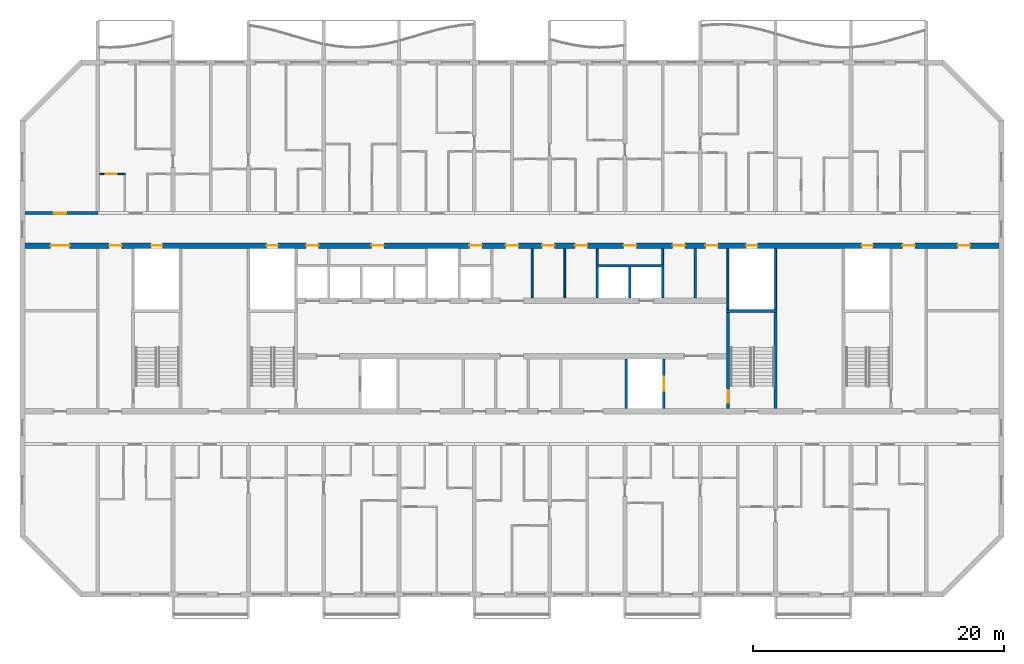
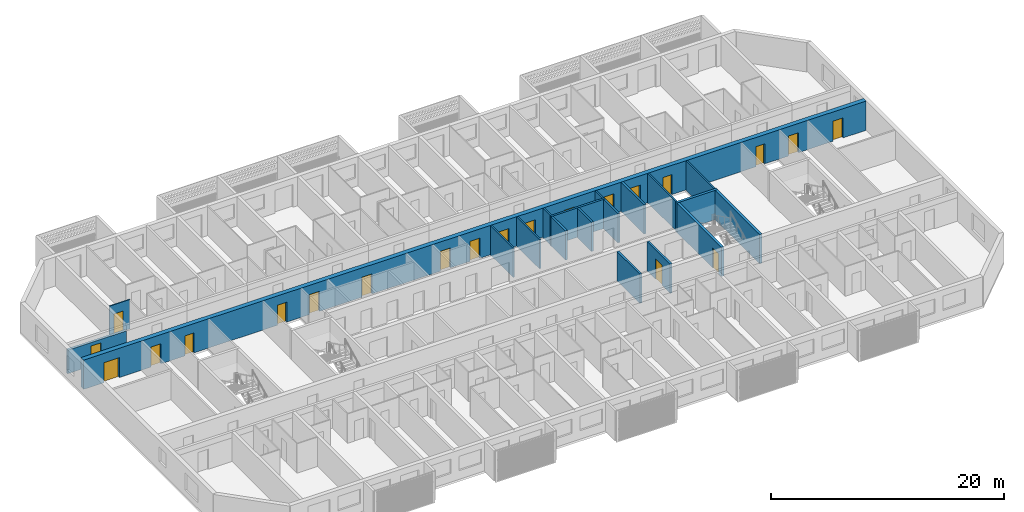
# One storey, part 8 of 33: 21 doors, 19 walls, 21 openings.
"""IFC4 building model written with IfcOpenShell, lengths in metres."""

from ifc_helpers import new_model, si_unit, direction, frame, frame_2d, origin, place, context, subcontext, project, spatial, rectangle, extrude, material, layer, layer_set, type_object, element, fill, save


model = new_model("IFC4")

# Units and contexts
model_context = context("Model", 3, precision=1e-05, world=origin(), true_north=direction((0.0, 1.0)))
body_context = subcontext(model_context, "Body", "Model", "MODEL_VIEW")
ifc_project = project(units=[si_unit("LENGTHUNIT", "METRE"), si_unit("AREAUNIT", "SQUARE_METRE"), si_unit("VOLUMEUNIT", "CUBIC_METRE"), si_unit("PLANEANGLEUNIT", "RADIAN"), si_unit("MASSUNIT", "GRAM", prefix="KILO")], contexts=[model_context])

# Site, building, storey
site_placement = place(None, origin())
site = spatial("IfcSite", under=ifc_project, at=site_placement, CompositionType="ELEMENT")
building_placement = place(site_placement, origin())
building = spatial("IfcBuilding", under=site, at=building_placement, Name="Poui Terraces", CompositionType="ELEMENT")
storey_placement = place(building_placement, frame((0.0, 0.0, 135.60009765625)))
storey = spatial("IfcBuildingStorey", under=building, at=storey_placement, Name="L37", CompositionType="ELEMENT", Elevation=135.60009765625)

# Wall
ifc_material_1 = material(Name="Fire-rated plasterboard wall")
ifc_layer_1 = layer(ifc_material_1, 0.14990234375)
ifc_layer_set_1 = layer_set([ifc_layer_1], Name="Fire-rated plasterboard wall")
wall_type_1 = type_object("IfcWallType", Name="CORRIDOR WALL 150", PredefinedType="PARTITIONING", material=ifc_layer_set_1)
wall_1_placement = place(storey_placement, frame((52.60009765625, 23.635009765625, 0.0), z_axis=(0.0, 0.0, 1.0), x_axis=(0.0, 1.0, 0.0)))
element("IfcWall", 1, at=wall_1_placement, inside=storey, type_object=wall_type_1, Name="CORRIDOR WALL 150", PredefinedType="PARTITIONING", context=body_context, shape_type="SweptSolid", body=[
    extrude(rectangle(XDim=3.929931640625, YDim=0.14990234375, at=frame_2d((1.96484375, 0.0))), origin(), (0.0, 0.0, 1.0), 3.06982421875),
])

# Wall, opening, door
ifc_material_2 = material(Name="Concrete 65 MPa", Category="concrete")
ifc_layer_2 = layer(ifc_material_2, 0.25)
ifc_layer_set_2 = layer_set([ifc_layer_2], Name="Concrete 65 MPa")
wall_type_2 = type_object("IfcWallType", Name="CORRIDOR WALL 250 65MPa", PredefinedType="SHEAR", material=ifc_layer_set_2)
wall_2_placement = place(storey_placement, frame((12.199951171875, 30.39990234375, 0.0), z_axis=(0.0, 0.0, 1.0), x_axis=(1.0, 0.0, 0.0)))
wall_2 = element("IfcWall", 2, at=wall_2_placement, inside=storey, type_object=wall_type_2, Name="CORRIDOR WALL LINE E BAY 1", PredefinedType="SHEAR", context=body_context, shape_type="SweptSolid", body=[
    extrude(rectangle(XDim=5.800048828125, YDim=0.25, at=frame_2d((2.89990234375, 0.0))), origin(), (0.0, 0.0, 1.0), 2.469970703125),
])
opening_1_placement = place(wall_2_placement, frame((2.300048828125, 0.0, 0.0)))
opening_1 = element("IfcOpeningElement", 3, at=opening_1_placement, cuts=wall_2, Name="Opening D100", PredefinedType="OPENING", context=body_context, shape_type="SweptSolid", body=[
    extrude(rectangle(XDim=1.0, YDim=2.10009765625, at=frame_2d((0.5, 1.050048828125))), frame((0.0, 0.135009765625, 0.0), z_axis=(0.0, -1.0, 0.0), x_axis=(1.0, 0.0, 0.0)), (0.0, 0.0, 1.0), 0.27001953125),
])
ifc_material_3 = material(Name="Solid core timber door", Category="wood")
door_type_1 = type_object("IfcDoorType", Name="ACCESSIBLE INTERNAL DOOR 1000 X 2100", OperationType="NOTDEFINED", PredefinedType="DOOR", material=ifc_material_3)
door_1_placement = place(opening_1_placement, origin())
door_1 = element("IfcDoor", 4, at=door_1_placement, inside=storey, type_object=door_type_1, Name="ACCESSIBLE INTERNAL DOOR 031", OperationType="SINGLE_SWING_LEFT", OverallHeight=2.10009765625, OverallWidth=1.0, PredefinedType="DOOR", context=body_context, shape_type="SweptSolid", body=[
    extrude(rectangle(XDim=1.0, YDim=2.10009765625, at=frame_2d((0.5, 1.050048828125))), frame((0.0, 0.02490234375, 0.0), z_axis=(0.0, -1.0, 0.0), x_axis=(1.0, 0.0, 0.0)), (0.0, 0.0, 1.0), 0.050048828125),
])
fill(opening_1, door_1)

ifc_material_4 = material(Name="Plasterboard partition")
ifc_layer_3 = layer(ifc_material_4, 0.10009765625)
ifc_layer_set_3 = layer_set([ifc_layer_3], Name="Plasterboard partition")
wall_type_3 = type_object("IfcWallType", Name="FLAT PARTITION 100", PredefinedType="PARTITIONING", material=ifc_layer_set_3)
wall_3_placement = place(storey_placement, frame((18.159912109375, 33.5, 0.0), z_axis=(0.0, 0.0, 1.0), x_axis=(1.0, 0.0, 0.0)))
wall_3 = element("IfcWall", 5, at=wall_3_placement, inside=storey, type_object=wall_type_3, Name="FLAT PARTITION 100", PredefinedType="PARTITIONING", context=body_context, shape_type="SweptSolid", body=[
    extrude(rectangle(XDim=2.0400390625, YDim=0.10009765625, at=frame_2d((1.02001953125, 0.0))), origin(), (0.0, 0.0, 1.0), 3.06982421875),
])
opening_2_placement = place(wall_3_placement, frame((0.465087890625, 0.0, 0.0)))
opening_2 = element("IfcOpeningElement", 6, at=opening_2_placement, cuts=wall_3, Name="Opening D90", PredefinedType="OPENING", context=body_context, shape_type="SweptSolid", body=[
    extrude(rectangle(XDim=0.89990234375, YDim=2.10009765625, at=frame_2d((0.449951171875, 1.050048828125))), frame((0.0, 0.06005859375, 0.0), z_axis=(0.0, -1.0, 0.0), x_axis=(1.0, 0.0, 0.0)), (0.0, 0.0, 1.0), 0.1201171875),
])
door_type_2 = type_object("IfcDoorType", Name="INTERNAL DOOR 900 X 2100", OperationType="NOTDEFINED", PredefinedType="DOOR", material=ifc_material_3)
door_2_placement = place(opening_2_placement, frame((0.89990234375, 0.0, 0.0), z_axis=(0.0, 0.0, 1.0), x_axis=(-1.0, 0.0, 0.0)))
door_2 = element("IfcDoor", 7, at=door_2_placement, inside=storey, type_object=door_type_2, Name="INTERNAL DOOR 033", OperationType="SINGLE_SWING_LEFT", OverallHeight=2.10009765625, OverallWidth=0.89990234375, PredefinedType="DOOR", context=body_context, shape_type="SweptSolid", body=[
    extrude(rectangle(XDim=0.89990234375, YDim=2.10009765625, at=frame_2d((0.449951171875, 1.050048828125))), frame((0.0, 0.02490234375, 0.0), z_axis=(0.0, -1.0, 0.0), x_axis=(1.0, 0.0, 0.0)), (0.0, 0.0, 1.0), 0.050048828125),
])
fill(opening_2, door_2)

# Walls
ifc_layer_4 = layer(ifc_material_4, 0.14990234375)
ifc_layer_set_4 = layer_set([ifc_layer_4], Name="Plasterboard partition")
wall_type_4 = type_object("IfcWallType", Name="PARTITION WALL 150", PredefinedType="PARTITIONING", material=ifc_layer_set_4)
wall_4_placement = place(storey_placement, frame((55.199951171875, 23.635009765625, 0.0), z_axis=(0.0, 0.0, 1.0), x_axis=(0.0, 1.0, 0.0)))
element("IfcWall", 8, at=wall_4_placement, inside=storey, type_object=wall_type_4, Name="PARTITION WALL 150", PredefinedType="PARTITIONING", context=body_context, shape_type="SweptSolid", body=[
    extrude(rectangle(XDim=3.929931640625, YDim=0.14990234375, at=frame_2d((1.96484375, 0.0))), origin(), (0.0, 0.0, 1.0), 3.06982421875),
])
for number, where, z_axis, x_axis, name in (
    (9, (57.800048828125, 26.300048828125, 0.0), (0.0, 0.0, 1.0), (0.0, 1.0, 0.0), "PARTITION WALL 150"),
    (10, (63.0, 26.300048828125, 0.0), (0.0, 0.0, 1.0), (0.0, 1.0, 0.0), "PARTITION WALL 150"),
):
    element("IfcWall", number, at=place(storey_placement, frame(where, z_axis=z_axis, x_axis=x_axis)), inside=storey, type_object=wall_type_4, Name=name, PredefinedType="PARTITIONING", context=body_context, shape_type="SweptSolid", body=[
        extrude(rectangle(XDim=1.264892578125, YDim=0.14990234375, at=frame_2d((0.63232421875, 0.0))), origin(), (0.0, 0.0, 1.0), 3.06982421875),
    ])
ifc_material_5 = material(Name="Fire-rated masonry wall", Category="masonry")
ifc_layer_5 = layer(ifc_material_5, 0.199951171875)
ifc_layer_set_5 = layer_set([ifc_layer_5], Name="Fire-rated masonry wall")
wall_type_5 = type_object("IfcWallType", Name="PLANT ROOM WALL 200", PredefinedType="PARTITIONING", material=ifc_layer_set_5)
wall_5_placement = place(storey_placement, frame((65.60009765625, 23.635009765625, 0.0), z_axis=(0.0, 0.0, 1.0), x_axis=(0.0, 1.0, 0.0)))
element("IfcWall", 11, at=wall_5_placement, inside=storey, type_object=wall_type_5, Name="PLANT ROOM WALL 200", PredefinedType="PARTITIONING", context=body_context, shape_type="SweptSolid", body=[
    extrude(rectangle(XDim=3.929931640625, YDim=0.199951171875, at=frame_2d((1.96484375, 0.0))), origin(), (0.0, 0.0, 1.0), 3.06982421875),
])
ifc_material_6 = material(Name="Fire-rated plasterboard riser wall")
ifc_layer_6 = layer(ifc_material_6, 0.14990234375)
ifc_layer_set_6 = layer_set([ifc_layer_6], Name="Fire-rated plasterboard riser wall")
wall_type_6 = type_object("IfcWallType", Name="RISER WALL 150", PredefinedType="PARTITIONING", material=ifc_layer_set_6)
for number, where, z_axis, x_axis, name in (
    (12, (68.199951171875, 22.735107421875, 0.0), (0.0, 0.0, 1.0), (0.0, 1.0, 0.0), "RISER WALL 150"),
    (13, (72.0, 22.735107421875, 0.0), (0.0, 0.0, 1.0), (0.0, 1.0, 0.0), "RISER WALL 150"),
):
    element("IfcWall", number, at=place(storey_placement, frame(where, z_axis=z_axis, x_axis=x_axis)), inside=storey, type_object=wall_type_6, Name=name, PredefinedType="PARTITIONING", context=body_context, shape_type="SweptSolid", body=[
        extrude(rectangle(XDim=4.829833984375, YDim=0.14990234375, at=frame_2d((2.4150390625, 0.0))), origin(), (0.0, 0.0, 1.0), 3.06982421875),
    ])
ifc_material_7 = material(Name="Fire-rated masonry shaft wall", Category="masonry")
ifc_layer_7 = layer(ifc_material_7, 0.199951171875)
ifc_layer_set_7 = layer_set([ifc_layer_7], Name="Fire-rated masonry shaft wall")
wall_type_7 = type_object("IfcWallType", Name="SHAFT WALL 200", PredefinedType="PARTITIONING", material=ifc_layer_set_7)
wall_6_placement = place(storey_placement, frame((57.699951171875, 26.199951171875, 0.0), z_axis=(0.0, 0.0, 1.0), x_axis=(1.0, 0.0, 0.0)))
element("IfcWall", 14, at=wall_6_placement, inside=storey, type_object=wall_type_7, Name="SHAFT WALL 200", PredefinedType="PARTITIONING", context=body_context, shape_type="SweptSolid", body=[
    extrude(rectangle(XDim=5.400146484375, YDim=0.199951171875, at=frame_2d((2.7001953125, 0.0))), origin(), (0.0, 0.0, 1.0), 3.06982421875),
])
wall_7_placement = place(storey_placement, frame((57.800048828125, 23.635009765625, 0.0), z_axis=(0.0, 0.0, 1.0), x_axis=(0.0, 1.0, 0.0)))
element("IfcWall", 15, at=wall_7_placement, inside=storey, type_object=wall_type_7, Name="SHAFT WALL 200", PredefinedType="PARTITIONING", context=body_context, shape_type="SweptSolid", body=[
    extrude(rectangle(XDim=2.465087890625, YDim=0.199951171875, at=frame_2d((1.232421875, 0.0))), origin(), (0.0, 0.0, 1.0), 3.06982421875),
])
wall_8_placement = place(storey_placement, frame((60.10009765625, 14.8349609375, 0.0), z_axis=(0.0, 0.0, 1.0), x_axis=(0.0, 1.0, 0.0)))
element("IfcWall", 16, at=wall_8_placement, inside=storey, type_object=wall_type_7, Name="SHAFT WALL 200", PredefinedType="PARTITIONING", context=body_context, shape_type="SweptSolid", body=[
    extrude(rectangle(XDim=3.929931640625, YDim=0.199951171875, at=frame_2d((1.96484375, 0.0))), origin(), (0.0, 0.0, 1.0), 3.06982421875),
])
for number, where, z_axis, x_axis, name in (
    (17, (60.39990234375, 23.635009765625, 0.0), (0.0, 0.0, 1.0), (0.0, 1.0, 0.0), "SHAFT WALL 200"),
    (18, (63.0, 23.635009765625, 0.0), (0.0, 0.0, 1.0), (0.0, 1.0, 0.0), "SHAFT WALL 200"),
):
    element("IfcWall", number, at=place(storey_placement, frame(where, z_axis=z_axis, x_axis=x_axis)), inside=storey, type_object=wall_type_7, Name=name, PredefinedType="PARTITIONING", context=body_context, shape_type="SweptSolid", body=[
        extrude(rectangle(XDim=2.465087890625, YDim=0.199951171875, at=frame_2d((1.232421875, 0.0))), origin(), (0.0, 0.0, 1.0), 3.06982421875),
    ])

# Wall, opening, door
wall_9_placement = place(storey_placement, frame((63.10009765625, 14.8349609375, 0.0), z_axis=(0.0, 0.0, 1.0), x_axis=(0.0, 1.0, 0.0)))
wall_9 = element("IfcWall", 19, at=wall_9_placement, inside=storey, type_object=wall_type_7, Name="SHAFT WALL 200", PredefinedType="PARTITIONING", context=body_context, shape_type="SweptSolid", body=[
    extrude(rectangle(XDim=3.929931640625, YDim=0.199951171875, at=frame_2d((1.96484375, 0.0))), origin(), (0.0, 0.0, 1.0), 3.06982421875),
])
opening_3_placement = place(wall_9_placement, frame((1.4150390625, 0.0, 0.0)))
opening_3 = element("IfcOpeningElement", 20, at=opening_3_placement, cuts=wall_9, Name="Opening LD", PredefinedType="OPENING", context=body_context, shape_type="SweptSolid", body=[
    extrude(rectangle(XDim=1.10009765625, YDim=2.10009765625, at=frame_2d((0.550048828125, 1.050048828125))), frame((0.0, 0.10986328125, 0.0), z_axis=(0.0, -1.0, 0.0), x_axis=(1.0, 0.0, 0.0)), (0.0, 0.0, 1.0), 0.219970703125),
])
ifc_material_8 = material(Name="Stainless steel sliding door", Category="steel")
door_type_3 = type_object("IfcDoorType", Name="LIFT LANDING DOOR 1100 X 2100", OperationType="DOUBLE_DOOR_SLIDING", PredefinedType="DOOR", material=ifc_material_8)
door_3_placement = place(opening_3_placement, origin())
door_3 = element("IfcDoor", 21, at=door_3_placement, inside=storey, type_object=door_type_3, Name="LANDING DOOR", OperationType="DOUBLE_DOOR_SLIDING", OverallHeight=2.10009765625, OverallWidth=1.10009765625, PredefinedType="DOOR", context=body_context, shape_type="SweptSolid", body=[
    extrude(rectangle(XDim=1.10009765625, YDim=2.10009765625, at=frame_2d((0.550048828125, 1.050048828125))), frame((0.0, 0.02490234375, 0.0), z_axis=(0.0, -1.0, 0.0), x_axis=(1.0, 0.0, 0.0)), (0.0, 0.0, 1.0), 0.050048828125),
])
fill(opening_3, door_3)

# Wall, openings, doors
ifc_layer_8 = layer(ifc_material_2, 0.449951171875)
ifc_layer_set_8 = layer_set([ifc_layer_8], Name="Concrete 65 MPa")
wall_type_8 = type_object("IfcWallType", Name="SPINE WALL 450 65 MPA", PredefinedType="SOLIDWALL", material=ifc_layer_set_8)
wall_10_placement = place(storey_placement, frame((12.199951171875, 27.800048828125, 0.0), z_axis=(0.0, 0.0, 1.0), x_axis=(1.0, 0.0, 0.0)))
wall_10 = element("IfcWall", 22, at=wall_10_placement, inside=storey, type_object=wall_type_8, Name="SPINE WALL", PredefinedType="SOLIDWALL", context=body_context, shape_type="SweptSolid", body=[
    extrude(rectangle(XDim=77.60009765625, YDim=0.449951171875, at=frame_2d((38.800048828125, 0.0))), origin(), (0.0, 0.0, 1.0), 3.06982421875),
])
opening_4_placement = place(wall_10_placement, frame((2.050048828125, 0.0, 0.0)))
opening_4 = element("IfcOpeningElement", 23, at=opening_4_placement, cuts=wall_10, Name="Opening FDP", PredefinedType="OPENING", context=body_context, shape_type="SweptSolid", body=[
    extrude(rectangle(XDim=1.5, YDim=2.10009765625, at=frame_2d((0.75, 1.050048828125))), frame((0.0, 0.23486328125, 0.0), z_axis=(0.0, -1.0, 0.0), x_axis=(1.0, 0.0, 0.0)), (0.0, 0.0, 1.0), 0.469970703125),
])
opening_5_placement = place(wall_10_placement, frame((6.699951171875, 0.0, 0.0)))
opening_5 = element("IfcOpeningElement", 24, at=opening_5_placement, cuts=wall_10, Name="Opening FDL", PredefinedType="OPENING", context=body_context, shape_type="SweptSolid", body=[
    extrude(rectangle(XDim=1.0, YDim=2.10009765625, at=frame_2d((0.5, 1.050048828125))), frame((0.0, 0.23486328125, 0.0), z_axis=(0.0, -1.0, 0.0), x_axis=(1.0, 0.0, 0.0)), (0.0, 0.0, 1.0), 0.469970703125),
])
opening_6_placement = place(wall_10_placement, frame((10.050048828125, 0.0, 0.0)))
opening_6 = element("IfcOpeningElement", 25, at=opening_6_placement, cuts=wall_10, Name="Opening FDR", PredefinedType="OPENING", context=body_context, shape_type="SweptSolid", body=[
    extrude(rectangle(XDim=0.89990234375, YDim=2.10009765625, at=frame_2d((0.449951171875, 1.050048828125))), frame((0.0, 0.23486328125, 0.0), z_axis=(0.0, -1.0, 0.0), x_axis=(1.0, 0.0, 0.0)), (0.0, 0.0, 1.0), 0.469970703125),
])
opening_7_placement = place(wall_10_placement, frame((19.25, 0.0, 0.0)))
opening_7 = element("IfcOpeningElement", 26, at=opening_7_placement, cuts=wall_10, Name="Opening FDR", PredefinedType="OPENING", context=body_context, shape_type="SweptSolid", body=[
    extrude(rectangle(XDim=0.89990234375, YDim=2.10009765625, at=frame_2d((0.449951171875, 1.050048828125))), frame((0.0, 0.23486328125, 0.0), z_axis=(0.0, -1.0, 0.0), x_axis=(1.0, 0.0, 0.0)), (0.0, 0.0, 1.0), 0.469970703125),
])
opening_8_placement = place(wall_10_placement, frame((22.39990234375, 0.0, 0.0)))
opening_8 = element("IfcOpeningElement", 27, at=opening_8_placement, cuts=wall_10, Name="Opening FD60", PredefinedType="OPENING", context=body_context, shape_type="SweptSolid", body=[
    extrude(rectangle(XDim=1.0, YDim=2.10009765625, at=frame_2d((0.5, 1.050048828125))), frame((0.0, 0.23486328125, 0.0), z_axis=(0.0, -1.0, 0.0), x_axis=(1.0, 0.0, 0.0)), (0.0, 0.0, 1.0), 0.469970703125),
])
opening_9_placement = place(wall_10_placement, frame((27.60009765625, 0.0, 0.0)))
opening_9 = element("IfcOpeningElement", 28, at=opening_9_placement, cuts=wall_10, Name="Opening FD60", PredefinedType="OPENING", context=body_context, shape_type="SweptSolid", body=[
    extrude(rectangle(XDim=1.0, YDim=2.10009765625, at=frame_2d((0.5, 1.050048828125))), frame((0.0, 0.23486328125, 0.0), z_axis=(0.0, -1.0, 0.0), x_axis=(1.0, 0.0, 0.0)), (0.0, 0.0, 1.0), 0.469970703125),
])
opening_10_placement = place(wall_10_placement, frame((35.39990234375, 0.0, 0.0)))
opening_10 = element("IfcOpeningElement", 29, at=opening_10_placement, cuts=wall_10, Name="Opening FD60", PredefinedType="OPENING", context=body_context, shape_type="SweptSolid", body=[
    extrude(rectangle(XDim=1.0, YDim=2.10009765625, at=frame_2d((0.5, 1.050048828125))), frame((0.0, 0.23486328125, 0.0), z_axis=(0.0, -1.0, 0.0), x_axis=(1.0, 0.0, 0.0)), (0.0, 0.0, 1.0), 0.469970703125),
])
opening_11_placement = place(wall_10_placement, frame((38.300048828125, 0.0, 0.0)))
opening_11 = element("IfcOpeningElement", 30, at=opening_11_placement, cuts=wall_10, Name="Opening FDL", PredefinedType="OPENING", context=body_context, shape_type="SweptSolid", body=[
    extrude(rectangle(XDim=1.0, YDim=2.10009765625, at=frame_2d((0.5, 1.050048828125))), frame((0.0, 0.23486328125, 0.0), z_axis=(0.0, -1.0, 0.0), x_axis=(1.0, 0.0, 0.0)), (0.0, 0.0, 1.0), 0.469970703125),
])
opening_12_placement = place(wall_10_placement, frame((41.199951171875, 0.0, 0.0)))
opening_12 = element("IfcOpeningElement", 31, at=opening_12_placement, cuts=wall_10, Name="Opening FD60", PredefinedType="OPENING", context=body_context, shape_type="SweptSolid", body=[
    extrude(rectangle(XDim=1.0, YDim=2.10009765625, at=frame_2d((0.5, 1.050048828125))), frame((0.0, 0.23486328125, 0.0), z_axis=(0.0, -1.0, 0.0), x_axis=(1.0, 0.0, 0.0)), (0.0, 0.0, 1.0), 0.469970703125),
])
opening_13_placement = place(wall_10_placement, frame((43.800048828125, 0.0, 0.0)))
opening_13 = element("IfcOpeningElement", 32, at=opening_13_placement, cuts=wall_10, Name="Opening FD60", PredefinedType="OPENING", context=body_context, shape_type="SweptSolid", body=[
    extrude(rectangle(XDim=1.0, YDim=2.10009765625, at=frame_2d((0.5, 1.050048828125))), frame((0.0, 0.23486328125, 0.0), z_axis=(0.0, -1.0, 0.0), x_axis=(1.0, 0.0, 0.0)), (0.0, 0.0, 1.0), 0.469970703125),
])
opening_14_placement = place(wall_10_placement, frame((47.699951171875, 0.0, 0.0)))
opening_14 = element("IfcOpeningElement", 33, at=opening_14_placement, cuts=wall_10, Name="Opening FD60", PredefinedType="OPENING", context=body_context, shape_type="SweptSolid", body=[
    extrude(rectangle(XDim=1.0, YDim=2.10009765625, at=frame_2d((0.5, 1.050048828125))), frame((0.0, 0.23486328125, 0.0), z_axis=(0.0, -1.0, 0.0), x_axis=(1.0, 0.0, 0.0)), (0.0, 0.0, 1.0), 0.469970703125),
])
opening_15_placement = place(wall_10_placement, frame((51.60009765625, 0.0, 0.0)))
opening_15 = element("IfcOpeningElement", 34, at=opening_15_placement, cuts=wall_10, Name="Opening FD60", PredefinedType="OPENING", context=body_context, shape_type="SweptSolid", body=[
    extrude(rectangle(XDim=1.0, YDim=2.10009765625, at=frame_2d((0.5, 1.050048828125))), frame((0.0, 0.23486328125, 0.0), z_axis=(0.0, -1.0, 0.0), x_axis=(1.0, 0.0, 0.0)), (0.0, 0.0, 1.0), 0.469970703125),
])
opening_16_placement = place(wall_10_placement, frame((54.199951171875, 0.0, 0.0)))
opening_16 = element("IfcOpeningElement", 35, at=opening_16_placement, cuts=wall_10, Name="Opening FD60", PredefinedType="OPENING", context=body_context, shape_type="SweptSolid", body=[
    extrude(rectangle(XDim=1.0, YDim=2.10009765625, at=frame_2d((0.5, 1.050048828125))), frame((0.0, 0.23486328125, 0.0), z_axis=(0.0, -1.0, 0.0), x_axis=(1.0, 0.0, 0.0)), (0.0, 0.0, 1.0), 0.469970703125),
])
opening_17_placement = place(wall_10_placement, frame((57.449951171875, 0.0, 0.0)))
opening_17 = element("IfcOpeningElement", 36, at=opening_17_placement, cuts=wall_10, Name="Opening FDR", PredefinedType="OPENING", context=body_context, shape_type="SweptSolid", body=[
    extrude(rectangle(XDim=0.89990234375, YDim=2.10009765625, at=frame_2d((0.449951171875, 1.050048828125))), frame((0.0, 0.23486328125, 0.0), z_axis=(0.0, -1.0, 0.0), x_axis=(1.0, 0.0, 0.0)), (0.0, 0.0, 1.0), 0.469970703125),
])
opening_18_placement = place(wall_10_placement, frame((66.64990234375, 0.0, 0.0)))
opening_18 = element("IfcOpeningElement", 37, at=opening_18_placement, cuts=wall_10, Name="Opening FDR", PredefinedType="OPENING", context=body_context, shape_type="SweptSolid", body=[
    extrude(rectangle(XDim=0.89990234375, YDim=2.10009765625, at=frame_2d((0.449951171875, 1.050048828125))), frame((0.0, 0.23486328125, 0.0), z_axis=(0.0, -1.0, 0.0), x_axis=(1.0, 0.0, 0.0)), (0.0, 0.0, 1.0), 0.469970703125),
])
opening_19_placement = place(wall_10_placement, frame((69.89990234375, 0.0, 0.0)))
opening_19 = element("IfcOpeningElement", 38, at=opening_19_placement, cuts=wall_10, Name="Opening FDL", PredefinedType="OPENING", context=body_context, shape_type="SweptSolid", body=[
    extrude(rectangle(XDim=1.0, YDim=2.10009765625, at=frame_2d((0.5, 1.050048828125))), frame((0.0, 0.23486328125, 0.0), z_axis=(0.0, -1.0, 0.0), x_axis=(1.0, 0.0, 0.0)), (0.0, 0.0, 1.0), 0.469970703125),
])
opening_20_placement = place(wall_10_placement, frame((74.300048828125, 0.0, 0.0)))
opening_20 = element("IfcOpeningElement", 39, at=opening_20_placement, cuts=wall_10, Name="Opening FD60", PredefinedType="OPENING", context=body_context, shape_type="SweptSolid", body=[
    extrude(rectangle(XDim=1.0, YDim=2.10009765625, at=frame_2d((0.5, 1.050048828125))), frame((0.0, 0.23486328125, 0.0), z_axis=(0.0, -1.0, 0.0), x_axis=(1.0, 0.0, 0.0)), (0.0, 0.0, 1.0), 0.469970703125),
])
ifc_material_9 = material(Name="Steel fire door", Category="steel")
door_type_4 = type_object("IfcDoorType", Name="LOBBY FIRE DOOR 1000 X 2100", OperationType="NOTDEFINED", PredefinedType="DOOR", material=ifc_material_9)
door_4_placement = place(opening_5_placement, origin())
door_4 = element("IfcDoor", 40, at=door_4_placement, inside=storey, type_object=door_type_4, Name="LOBBY FIRE DOOR 002", OperationType="SINGLE_SWING_LEFT", OverallHeight=2.10009765625, OverallWidth=1.0, PredefinedType="DOOR", context=body_context, shape_type="SweptSolid", body=[
    extrude(rectangle(XDim=1.0, YDim=2.10009765625, at=frame_2d((0.5, 1.050048828125))), frame((0.0, 0.02490234375, 0.0), z_axis=(0.0, -1.0, 0.0), x_axis=(1.0, 0.0, 0.0)), (0.0, 0.0, 1.0), 0.050048828125),
])
fill(opening_5, door_4)
door_5_placement = place(opening_11_placement, origin())
door_5 = element("IfcDoor", 41, at=door_5_placement, inside=storey, type_object=door_type_4, Name="LOBBY FIRE DOOR 008", OperationType="SINGLE_SWING_RIGHT", OverallHeight=2.10009765625, OverallWidth=1.0, PredefinedType="DOOR", context=body_context, shape_type="SweptSolid", body=[
    extrude(rectangle(XDim=1.0, YDim=2.10009765625, at=frame_2d((0.5, 1.050048828125))), frame((0.0, 0.02490234375, 0.0), z_axis=(0.0, -1.0, 0.0), x_axis=(1.0, 0.0, 0.0)), (0.0, 0.0, 1.0), 0.050048828125),
])
fill(opening_11, door_5)
door_6_placement = place(opening_19_placement, origin())
door_6 = element("IfcDoor", 42, at=door_6_placement, inside=storey, type_object=door_type_4, Name="LOBBY FIRE DOOR 016", OperationType="SINGLE_SWING_RIGHT", OverallHeight=2.10009765625, OverallWidth=1.0, PredefinedType="DOOR", context=body_context, shape_type="SweptSolid", body=[
    extrude(rectangle(XDim=1.0, YDim=2.10009765625, at=frame_2d((0.5, 1.050048828125))), frame((0.0, 0.02490234375, 0.0), z_axis=(0.0, -1.0, 0.0), x_axis=(1.0, 0.0, 0.0)), (0.0, 0.0, 1.0), 0.050048828125),
])
fill(opening_19, door_6)
door_type_5 = type_object("IfcDoorType", Name="PLANT ROOM DOOR PAIR 1500 X 2100", OperationType="DOUBLE_DOOR_SINGLE_SWING", PredefinedType="DOOR", material=ifc_material_9)
door_7_placement = place(opening_4_placement, origin())
door_7 = element("IfcDoor", 43, at=door_7_placement, inside=storey, type_object=door_type_5, Name="PLANT ROOM DOOR PAIR 001", OperationType="DOUBLE_DOOR_SINGLE_SWING", OverallHeight=2.10009765625, OverallWidth=1.5, PredefinedType="DOOR", context=body_context, shape_type="SweptSolid", body=[
    extrude(rectangle(XDim=1.5, YDim=2.10009765625, at=frame_2d((0.75, 1.050048828125))), frame((0.0, 0.02490234375, 0.0), z_axis=(0.0, -1.0, 0.0), x_axis=(1.0, 0.0, 0.0)), (0.0, 0.0, 1.0), 0.050048828125),
])
fill(opening_4, door_7)
door_type_6 = type_object("IfcDoorType", Name="RISER CUPBOARD DOOR 900 X 2100", OperationType="NOTDEFINED", PredefinedType="DOOR", material=ifc_material_9)
door_8_placement = place(opening_6_placement, origin())
door_8 = element("IfcDoor", 44, at=door_8_placement, inside=storey, type_object=door_type_6, Name="RISER CUPBOARD DOOR 003", OperationType="SINGLE_SWING_LEFT", OverallHeight=2.10009765625, OverallWidth=0.89990234375, PredefinedType="DOOR", context=body_context, shape_type="SweptSolid", body=[
    extrude(rectangle(XDim=0.89990234375, YDim=2.10009765625, at=frame_2d((0.449951171875, 1.050048828125))), frame((0.0, 0.02490234375, 0.0), z_axis=(0.0, -1.0, 0.0), x_axis=(1.0, 0.0, 0.0)), (0.0, 0.0, 1.0), 0.050048828125),
])
fill(opening_6, door_8)
door_9_placement = place(opening_7_placement, origin())
door_9 = element("IfcDoor", 45, at=door_9_placement, inside=storey, type_object=door_type_6, Name="RISER CUPBOARD DOOR 004", OperationType="SINGLE_SWING_LEFT", OverallHeight=2.10009765625, OverallWidth=0.89990234375, PredefinedType="DOOR", context=body_context, shape_type="SweptSolid", body=[
    extrude(rectangle(XDim=0.89990234375, YDim=2.10009765625, at=frame_2d((0.449951171875, 1.050048828125))), frame((0.0, 0.02490234375, 0.0), z_axis=(0.0, -1.0, 0.0), x_axis=(1.0, 0.0, 0.0)), (0.0, 0.0, 1.0), 0.050048828125),
])
fill(opening_7, door_9)
door_10_placement = place(opening_17_placement, origin())
door_10 = element("IfcDoor", 46, at=door_10_placement, inside=storey, type_object=door_type_6, Name="RISER CUPBOARD DOOR 014", OperationType="SINGLE_SWING_RIGHT", OverallHeight=2.10009765625, OverallWidth=0.89990234375, PredefinedType="DOOR", context=body_context, shape_type="SweptSolid", body=[
    extrude(rectangle(XDim=0.89990234375, YDim=2.10009765625, at=frame_2d((0.449951171875, 1.050048828125))), frame((0.0, 0.02490234375, 0.0), z_axis=(0.0, -1.0, 0.0), x_axis=(1.0, 0.0, 0.0)), (0.0, 0.0, 1.0), 0.050048828125),
])
fill(opening_17, door_10)
door_11_placement = place(opening_18_placement, origin())
door_11 = element("IfcDoor", 47, at=door_11_placement, inside=storey, type_object=door_type_6, Name="RISER CUPBOARD DOOR 015", OperationType="SINGLE_SWING_RIGHT", OverallHeight=2.10009765625, OverallWidth=0.89990234375, PredefinedType="DOOR", context=body_context, shape_type="SweptSolid", body=[
    extrude(rectangle(XDim=0.89990234375, YDim=2.10009765625, at=frame_2d((0.449951171875, 1.050048828125))), frame((0.0, 0.02490234375, 0.0), z_axis=(0.0, -1.0, 0.0), x_axis=(1.0, 0.0, 0.0)), (0.0, 0.0, 1.0), 0.050048828125),
])
fill(opening_18, door_11)
door_type_7 = type_object("IfcDoorType", Name="SERVICE ROOM FIRE DOOR 1000 X 2100", OperationType="NOTDEFINED", PredefinedType="DOOR", material=ifc_material_9)
door_12_placement = place(opening_8_placement, origin())
door_12 = element("IfcDoor", 48, at=door_12_placement, inside=storey, type_object=door_type_7, Name="SERVICE ROOM FIRE DOOR 005", OperationType="SINGLE_SWING_LEFT", OverallHeight=2.10009765625, OverallWidth=1.0, PredefinedType="DOOR", context=body_context, shape_type="SweptSolid", body=[
    extrude(rectangle(XDim=1.0, YDim=2.10009765625, at=frame_2d((0.5, 1.050048828125))), frame((0.0, 0.02490234375, 0.0), z_axis=(0.0, -1.0, 0.0), x_axis=(1.0, 0.0, 0.0)), (0.0, 0.0, 1.0), 0.050048828125),
])
fill(opening_8, door_12)
door_13_placement = place(opening_9_placement, origin())
door_13 = element("IfcDoor", 49, at=door_13_placement, inside=storey, type_object=door_type_7, Name="SERVICE ROOM FIRE DOOR 006", OperationType="SINGLE_SWING_RIGHT", OverallHeight=2.10009765625, OverallWidth=1.0, PredefinedType="DOOR", context=body_context, shape_type="SweptSolid", body=[
    extrude(rectangle(XDim=1.0, YDim=2.10009765625, at=frame_2d((0.5, 1.050048828125))), frame((0.0, 0.02490234375, 0.0), z_axis=(0.0, -1.0, 0.0), x_axis=(1.0, 0.0, 0.0)), (0.0, 0.0, 1.0), 0.050048828125),
])
fill(opening_9, door_13)
door_14_placement = place(opening_10_placement, origin())
door_14 = element("IfcDoor", 50, at=door_14_placement, inside=storey, type_object=door_type_7, Name="SERVICE ROOM FIRE DOOR 007", OperationType="SINGLE_SWING_LEFT", OverallHeight=2.10009765625, OverallWidth=1.0, PredefinedType="DOOR", context=body_context, shape_type="SweptSolid", body=[
    extrude(rectangle(XDim=1.0, YDim=2.10009765625, at=frame_2d((0.5, 1.050048828125))), frame((0.0, 0.02490234375, 0.0), z_axis=(0.0, -1.0, 0.0), x_axis=(1.0, 0.0, 0.0)), (0.0, 0.0, 1.0), 0.050048828125),
])
fill(opening_10, door_14)
door_15_placement = place(opening_12_placement, origin())
door_15 = element("IfcDoor", 51, at=door_15_placement, inside=storey, type_object=door_type_7, Name="SERVICE ROOM FIRE DOOR 009", OperationType="SINGLE_SWING_RIGHT", OverallHeight=2.10009765625, OverallWidth=1.0, PredefinedType="DOOR", context=body_context, shape_type="SweptSolid", body=[
    extrude(rectangle(XDim=1.0, YDim=2.10009765625, at=frame_2d((0.5, 1.050048828125))), frame((0.0, 0.02490234375, 0.0), z_axis=(0.0, -1.0, 0.0), x_axis=(1.0, 0.0, 0.0)), (0.0, 0.0, 1.0), 0.050048828125),
])
fill(opening_12, door_15)
door_16_placement = place(opening_13_placement, origin())
door_16 = element("IfcDoor", 52, at=door_16_placement, inside=storey, type_object=door_type_7, Name="SERVICE ROOM FIRE DOOR 010", OperationType="SINGLE_SWING_LEFT", OverallHeight=2.10009765625, OverallWidth=1.0, PredefinedType="DOOR", context=body_context, shape_type="SweptSolid", body=[
    extrude(rectangle(XDim=1.0, YDim=2.10009765625, at=frame_2d((0.5, 1.050048828125))), frame((0.0, 0.02490234375, 0.0), z_axis=(0.0, -1.0, 0.0), x_axis=(1.0, 0.0, 0.0)), (0.0, 0.0, 1.0), 0.050048828125),
])
fill(opening_13, door_16)
door_17_placement = place(opening_14_placement, origin())
door_17 = element("IfcDoor", 53, at=door_17_placement, inside=storey, type_object=door_type_7, Name="SERVICE ROOM FIRE DOOR 011", OperationType="SINGLE_SWING_RIGHT", OverallHeight=2.10009765625, OverallWidth=1.0, PredefinedType="DOOR", context=body_context, shape_type="SweptSolid", body=[
    extrude(rectangle(XDim=1.0, YDim=2.10009765625, at=frame_2d((0.5, 1.050048828125))), frame((0.0, 0.02490234375, 0.0), z_axis=(0.0, -1.0, 0.0), x_axis=(1.0, 0.0, 0.0)), (0.0, 0.0, 1.0), 0.050048828125),
])
fill(opening_14, door_17)
door_18_placement = place(opening_15_placement, origin())
door_18 = element("IfcDoor", 54, at=door_18_placement, inside=storey, type_object=door_type_7, Name="SERVICE ROOM FIRE DOOR 012", OperationType="SINGLE_SWING_LEFT", OverallHeight=2.10009765625, OverallWidth=1.0, PredefinedType="DOOR", context=body_context, shape_type="SweptSolid", body=[
    extrude(rectangle(XDim=1.0, YDim=2.10009765625, at=frame_2d((0.5, 1.050048828125))), frame((0.0, 0.02490234375, 0.0), z_axis=(0.0, -1.0, 0.0), x_axis=(1.0, 0.0, 0.0)), (0.0, 0.0, 1.0), 0.050048828125),
])
fill(opening_15, door_18)
door_19_placement = place(opening_16_placement, origin())
door_19 = element("IfcDoor", 55, at=door_19_placement, inside=storey, type_object=door_type_7, Name="SERVICE ROOM FIRE DOOR 013", OperationType="SINGLE_SWING_RIGHT", OverallHeight=2.10009765625, OverallWidth=1.0, PredefinedType="DOOR", context=body_context, shape_type="SweptSolid", body=[
    extrude(rectangle(XDim=1.0, YDim=2.10009765625, at=frame_2d((0.5, 1.050048828125))), frame((0.0, 0.02490234375, 0.0), z_axis=(0.0, -1.0, 0.0), x_axis=(1.0, 0.0, 0.0)), (0.0, 0.0, 1.0), 0.050048828125),
])
fill(opening_16, door_19)
door_20_placement = place(opening_20_placement, origin())
door_20 = element("IfcDoor", 56, at=door_20_placement, inside=storey, type_object=door_type_7, Name="SERVICE ROOM FIRE DOOR 017", OperationType="SINGLE_SWING_RIGHT", OverallHeight=2.10009765625, OverallWidth=1.0, PredefinedType="DOOR", context=body_context, shape_type="SweptSolid", body=[
    extrude(rectangle(XDim=1.0, YDim=2.10009765625, at=frame_2d((0.5, 1.050048828125))), frame((0.0, 0.02490234375, 0.0), z_axis=(0.0, -1.0, 0.0), x_axis=(1.0, 0.0, 0.0)), (0.0, 0.0, 1.0), 0.050048828125),
])
fill(opening_20, door_20)

# Wall, opening, door
ifc_layer_9 = layer(ifc_material_2, 0.25)
ifc_layer_set_9 = layer_set([ifc_layer_9], Name="Concrete 65 MPa")
wall_type_9 = type_object("IfcWallType", Name="STAIR CORE WALL 250 65 MPA", PredefinedType="SOLIDWALL", material=ifc_layer_set_9)
wall_11_placement = place(storey_placement, frame((68.199951171875, 14.824951171875, 0.0), z_axis=(0.0, 0.0, 1.0), x_axis=(0.0, 1.0, 0.0)))
wall_11 = element("IfcWall", 57, at=wall_11_placement, inside=storey, type_object=wall_type_9, Name="STAIR CORE WALL", PredefinedType="SOLIDWALL", context=body_context, shape_type="SweptSolid", body=[
    extrude(rectangle(XDim=7.650146484375, YDim=0.25, at=frame_2d((3.8251953125, 0.0))), origin(), (0.0, 0.0, 1.0), 3.06982421875),
])
opening_21_placement = place(wall_11_placement, frame((0.47509765625, 0.0, 0.0)))
opening_21 = element("IfcOpeningElement", 58, at=opening_21_placement, cuts=wall_11, Name="Opening FD60S", PredefinedType="OPENING", context=body_context, shape_type="SweptSolid", body=[
    extrude(rectangle(XDim=1.0, YDim=2.10009765625, at=frame_2d((0.5, 1.050048828125))), frame((0.0, 0.135009765625, 0.0), z_axis=(0.0, -1.0, 0.0), x_axis=(1.0, 0.0, 0.0)), (0.0, 0.0, 1.0), 0.27001953125),
])
door_type_8 = type_object("IfcDoorType", Name="STAIR DOOR 1000 X 2100", OperationType="NOTDEFINED", PredefinedType="DOOR", material=ifc_material_9)
door_21_placement = place(opening_21_placement, frame((1.0, 0.0, 0.0), z_axis=(0.0, 0.0, 1.0), x_axis=(-1.0, 0.0, 0.0)))
door_21 = element("IfcDoor", 59, at=door_21_placement, inside=storey, type_object=door_type_8, Name="STAIR DOOR 118", OperationType="SINGLE_SWING_LEFT", OverallHeight=2.10009765625, OverallWidth=1.0, PredefinedType="DOOR", context=body_context, shape_type="SweptSolid", body=[
    extrude(rectangle(XDim=1.0, YDim=2.10009765625, at=frame_2d((0.5, 1.050048828125))), frame((0.0, 0.02490234375, 0.0), z_axis=(0.0, -1.0, 0.0), x_axis=(1.0, 0.0, 0.0)), (0.0, 0.0, 1.0), 0.050048828125),
])
fill(opening_21, door_21)

# Walls
wall_12_placement = place(storey_placement, frame((72.0, 14.824951171875, 0.0), z_axis=(0.0, 0.0, 1.0), x_axis=(0.0, 1.0, 0.0)))
element("IfcWall", 60, at=wall_12_placement, inside=storey, type_object=wall_type_9, Name="STAIR CORE WALL", PredefinedType="SOLIDWALL", context=body_context, shape_type="SweptSolid", body=[
    extrude(rectangle(XDim=7.650146484375, YDim=0.25, at=frame_2d((3.8251953125, 0.0))), origin(), (0.0, 0.0, 1.0), 3.06982421875),
])
wall_13_placement = place(storey_placement, frame((68.074951171875, 22.60009765625, 0.0), z_axis=(0.0, 0.0, 1.0), x_axis=(1.0, 0.0, 0.0)))
element("IfcWall", 61, at=wall_13_placement, inside=storey, type_object=wall_type_9, Name="STAIR CORE WALL", PredefinedType="SOLIDWALL", context=body_context, shape_type="SweptSolid", body=[
    extrude(rectangle(XDim=4.050048828125, YDim=0.25, at=frame_2d((2.02490234375, 0.0))), origin(), (0.0, 0.0, 1.0), 3.06982421875),
])

save(model, "model.ifc")
